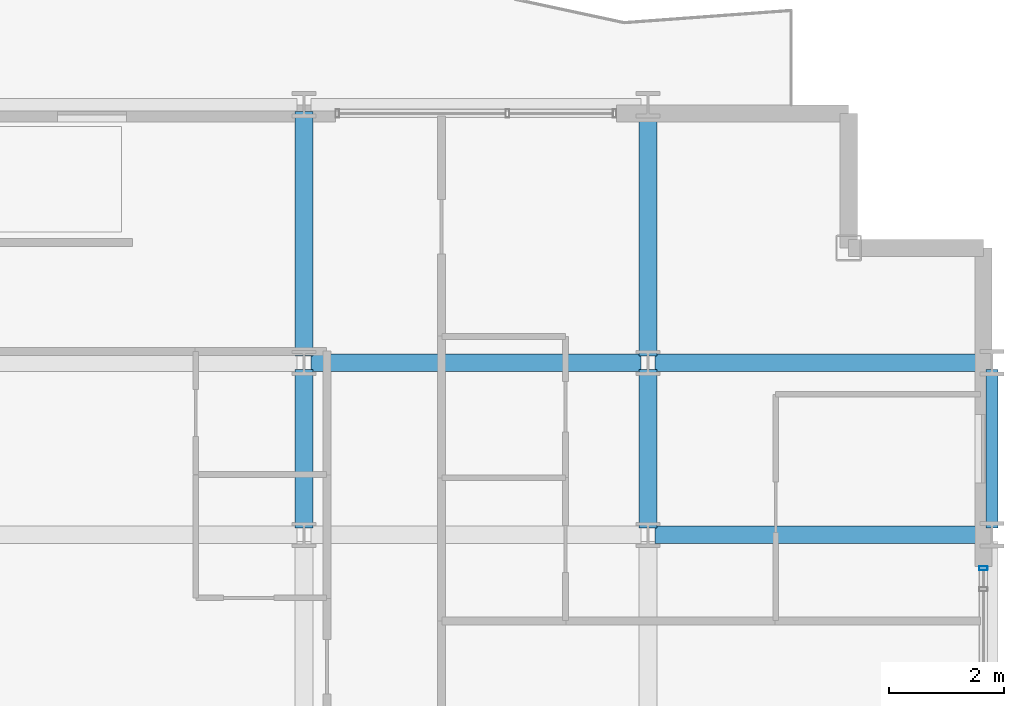
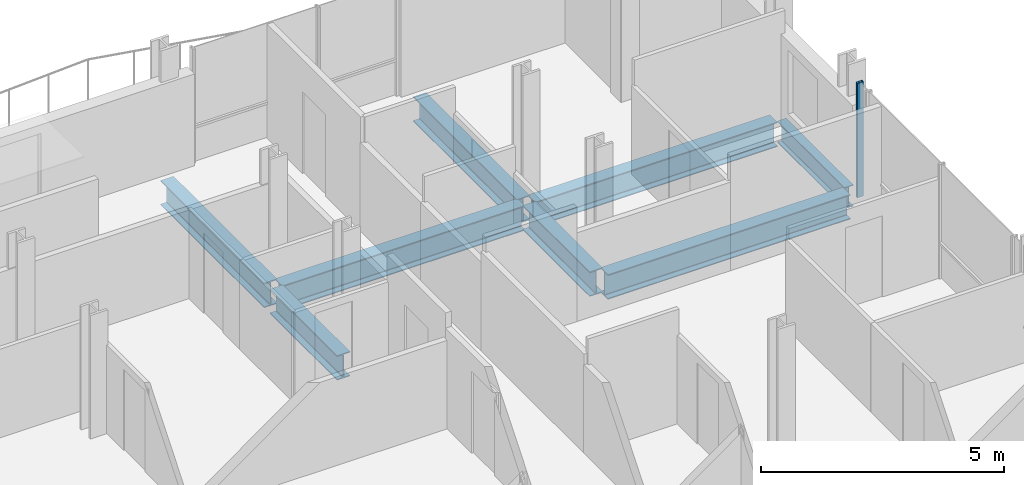
# One storey, part 20 of 40: 8 beams, 1 member, 1 element without a shape of its own.
"""IFC4 building model written with IfcOpenShell, lengths in metres."""

from ifc_helpers import new_model, si_unit, direction, frame, origin, origin_2d, place, context, subcontext, project, spatial, hollow_rectangle, i_section, extrude, material, layer, layer_set, material_profile, profile_set, type_object, element, aggregate, save


model = new_model("IFC4")

# Units and contexts
model_context = context("Model", 3, precision=1e-05, world=origin(), true_north=direction((0.0, 1.0)))
body_context = subcontext(model_context, "Body", "Model", "MODEL_VIEW")
ifc_project = project(units=[si_unit("LENGTHUNIT", "METRE"), si_unit("AREAUNIT", "SQUARE_METRE"), si_unit("VOLUMEUNIT", "CUBIC_METRE"), si_unit("PLANEANGLEUNIT", "RADIAN"), si_unit("MASSUNIT", "GRAM", prefix="KILO")], contexts=[model_context])

# Site, building, storey
site_placement = place(None, origin())
site = spatial("IfcSite", under=ifc_project, at=site_placement, CompositionType="ELEMENT")
building_placement = place(site_placement, origin())
building = spatial("IfcBuilding", under=site, at=building_placement, Name="Brevholm Reach", CompositionType="ELEMENT")
storey_placement = place(building_placement, frame((0.0, 0.0, 62.10009765625)))
storey = spatial("IfcBuildingStorey", under=building, at=storey_placement, Name="L17", CompositionType="ELEMENT", Elevation=62.10009765625)

# Beams
ifc_material_1 = material(Name="Structural Steel S355J2", Category="steel")
ifc_material_profile_1 = material_profile(ifc_material_1, i_section(OverallWidth=0.210693359375, OverallDepth=0.53955078125, WebThickness=0.01171875, FlangeThickness=0.018798828125, FilletRadius=0.0126953125, at=origin_2d()), Name="UKB 533x210x109")
ifc_profile_set_1 = profile_set([ifc_material_profile_1], Name="Structural Steel S355J2")
beam_type_1 = type_object("IfcBeamType", Name="BM-SP539", PredefinedType="SPANDREL", material=ifc_profile_set_1)
beam_1_placement = place(storey_placement, frame((60.0, 23.6201171875, -0.499755859375), z_axis=(0.0, 1.0, 0.0), x_axis=(-1.0, 0.0, 0.0)))
element("IfcBeam", 1, at=beam_1_placement, inside=storey, type_object=beam_type_1, Name="L17 SP-01B Framing Beam", PredefinedType="SPANDREL", context=body_context, shape_type="SweptSolid", body=[
    extrude(i_section(OverallWidth=0.210693359375, OverallDepth=0.53955078125, WebThickness=0.01171875, FlangeThickness=0.018798828125, FilletRadius=0.0126953125, at=origin_2d()), origin(), (0.0, 0.0, 1.0), 2.759765625),
])
ifc_material_2 = material(Name="Structural Steel S355J2", Category="steel")
ifc_material_profile_2 = material_profile(ifc_material_2, i_section(OverallWidth=0.30712890625, OverallDepth=0.6201171875, WebThickness=0.01416015625, FlangeThickness=0.023681640625, FilletRadius=0.0166015625, at=origin_2d()), Name="UKB 610x305x179")
ifc_profile_set_2 = profile_set([ifc_material_profile_2], Name="Structural Steel S355J2")
beam_type_2 = type_object("IfcBeamType", Name="BM-UKB610H", PredefinedType="USERDEFINED", material=ifc_profile_set_2)
for number, where, z_axis, x_axis, name in (
    (2, (54.1201171875, 23.5, -0.540283203125), (1.0, 0.0, 0.0), (0.0, 1.0, 0.0), "L17 G-06 Framing Beam"),
    (3, (48.1201171875, 26.5, -0.540283203125), (1.0, 0.0, 0.0), (0.0, 1.0, 0.0), "L17 G-06 Framing Beam"),
    (4, (54.1201171875, 26.5, -0.540283203125), (1.0, 0.0, 0.0), (0.0, 1.0, 0.0), "L17 G-06 Framing Beam"),
):
    element("IfcBeam", number, at=place(storey_placement, frame(where, z_axis=z_axis, x_axis=x_axis)), inside=storey, type_object=beam_type_2, Name=name, ObjectType="GIRDER", PredefinedType="USERDEFINED", context=body_context, shape_type="SweptSolid", body=[
        extrude(i_section(OverallWidth=0.30712890625, OverallDepth=0.6201171875, WebThickness=0.01416015625, FlangeThickness=0.023681640625, FilletRadius=0.0166015625, at=origin_2d()), origin(), (0.0, 0.0, 1.0), 5.759765625),
    ])
beam_2_placement = place(storey_placement, frame((48.0, 23.6201171875, -0.540283203125), z_axis=(0.0, 1.0, 0.0), x_axis=(-1.0, 0.0, 0.0)))
element("IfcBeam", 5, at=beam_2_placement, inside=storey, type_object=beam_type_2, Name="L17 G-06 Framing Beam", ObjectType="GIRDER", PredefinedType="USERDEFINED", context=body_context, shape_type="SweptSolid", body=[
    extrude(i_section(OverallWidth=0.30712890625, OverallDepth=0.6201171875, WebThickness=0.01416015625, FlangeThickness=0.023681640625, FilletRadius=0.0166015625, at=origin_2d()), origin(), (0.0, 0.0, 1.0), 2.759765625),
])
beam_3_placement = place(storey_placement, frame((48.0, 26.6201171875, -0.540283203125), z_axis=(0.0, 1.0, 0.0), x_axis=(-1.0, 0.0, 0.0)))
element("IfcBeam", 6, at=beam_3_placement, inside=storey, type_object=beam_type_2, Name="L17 G-06 Framing Beam", ObjectType="GIRDER", PredefinedType="USERDEFINED", context=body_context, shape_type="SweptSolid", body=[
    extrude(i_section(OverallWidth=0.30712890625, OverallDepth=0.6201171875, WebThickness=0.01416015625, FlangeThickness=0.023681640625, FilletRadius=0.0166015625, at=origin_2d()), origin(), (0.0, 0.0, 1.0), 4.259765625),
])
beam_4_placement = place(storey_placement, frame((54.0, 23.6201171875, -0.540283203125), z_axis=(0.0, 1.0, 0.0), x_axis=(-1.0, 0.0, 0.0)))
element("IfcBeam", 7, at=beam_4_placement, inside=storey, type_object=beam_type_2, Name="L17 G-06 Framing Beam", ObjectType="GIRDER", PredefinedType="USERDEFINED", context=body_context, shape_type="SweptSolid", body=[
    extrude(i_section(OverallWidth=0.30712890625, OverallDepth=0.6201171875, WebThickness=0.01416015625, FlangeThickness=0.023681640625, FilletRadius=0.0166015625, at=origin_2d()), origin(), (0.0, 0.0, 1.0), 2.759765625),
])
beam_5_placement = place(storey_placement, frame((54.0, 26.6201171875, -0.540283203125), z_axis=(0.0, 1.0, 0.0), x_axis=(-1.0, 0.0, 0.0)))
element("IfcBeam", 8, at=beam_5_placement, inside=storey, type_object=beam_type_2, Name="L17 G-06 Framing Beam", ObjectType="GIRDER", PredefinedType="USERDEFINED", context=body_context, shape_type="SweptSolid", body=[
    extrude(i_section(OverallWidth=0.30712890625, OverallDepth=0.6201171875, WebThickness=0.01416015625, FlangeThickness=0.023681640625, FilletRadius=0.0166015625, at=origin_2d()), origin(), (0.0, 0.0, 1.0), 4.259765625),
])

# Curtain wall, member
ifc_material_3 = material(Name="Dark Anodised Aluminium 6063-T6 and Solar-Control Glass", Category="aluminium")
ifc_layer = layer(ifc_material_3, 0.14990234375)
ifc_layer_set = layer_set([ifc_layer], Name="Dark Anodised Aluminium 6063-T6 and Solar-Control Glass")
curtain_wall_type = type_object("IfcCurtainWallType", Name="CW-01", PredefinedType="NOTDEFINED", material=ifc_layer_set)
curtain_wall_placement = place(storey_placement, origin())
curtain_wall = element("IfcCurtainWall", 9, at=curtain_wall_placement, inside=storey, type_object=curtain_wall_type, Name="L17 Curtain Wall CW-01", PredefinedType="NOTDEFINED")
ifc_material_4 = material(Name="Dark Anodised Aluminium 6063-T6", Category="aluminium")
ifc_material_profile_3 = material_profile(ifc_material_4, hollow_rectangle(XDim=0.06494140625, YDim=0.14990234375, WallThickness=0.0048828125, InnerFilletRadius=0.0048828125, OuterFilletRadius=0.010009765625, at=origin_2d()), Name="RHS 150x65x5")
ifc_profile_set_3 = profile_set([ifc_material_profile_3], Name="Dark Anodised Aluminium 6063-T6")
member_type = type_object("IfcMemberType", Name="CWM-150", PredefinedType="MULLION", material=ifc_profile_set_3)
member_placement = place(storey_placement, frame((59.85009765625, 22.91748046875, 0.0), z_axis=(0.0, 0.0, 1.0), x_axis=(0.0, 1.0, 0.0)))
member = element("IfcMember", 10, at=member_placement, type_object=member_type, Name="CM-150 Mullion 6", PredefinedType="MULLION", context=body_context, shape_type="SweptSolid", body=[
    extrude(hollow_rectangle(XDim=0.06494140625, YDim=0.14990234375, WallThickness=0.0048828125, InnerFilletRadius=0.0048828125, OuterFilletRadius=0.010009765625, at=origin_2d()), origin(), (0.0, 0.0, 1.0), 2.869873046875),
])
aggregate(curtain_wall, [member])

save(model, "model.ifc")
